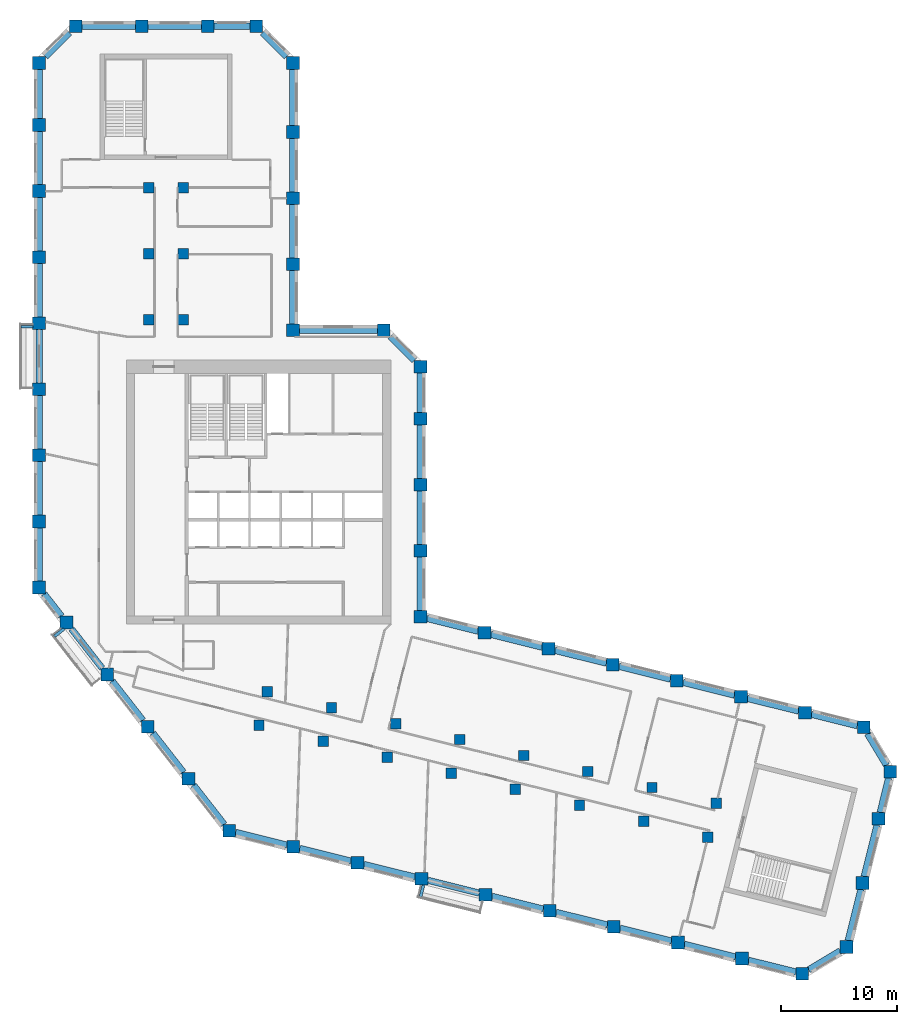
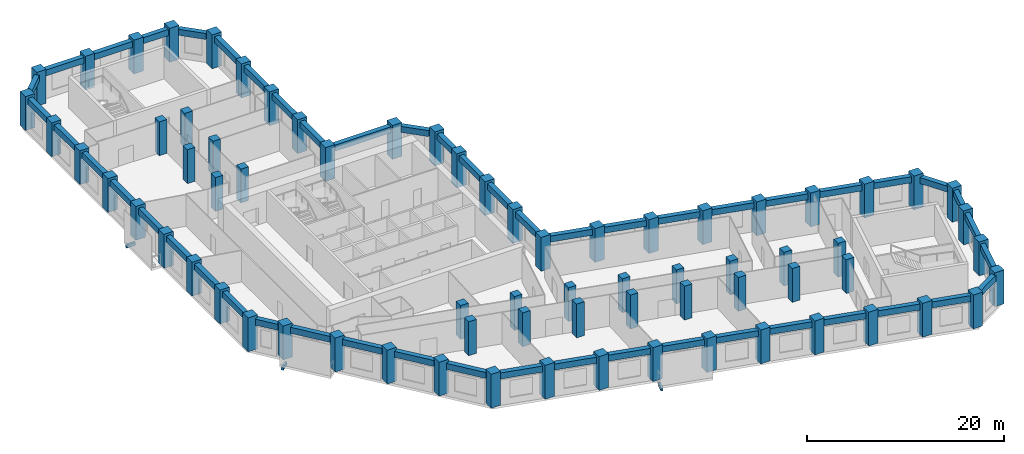
# One storey, part 1 of 10: 71 columns, 52 beams.
"""IFC4 building model written with IfcOpenShell, lengths in metres."""

from ifc_helpers import new_model, si_unit, direction, frame, origin, origin_2d, place, context, subcontext, project, spatial, rectangle, extrude, material, material_profile, profile_set, type_object, element, save


model = new_model("IFC4")

# Units and contexts
model_context = context("Model", 3, precision=1e-05, world=origin(), true_north=direction((0.0, 1.0)))
body_context = subcontext(model_context, "Body", "Model", "MODEL_VIEW")
ifc_project = project(units=[si_unit("LENGTHUNIT", "METRE"), si_unit("AREAUNIT", "SQUARE_METRE"), si_unit("VOLUMEUNIT", "CUBIC_METRE"), si_unit("PLANEANGLEUNIT", "RADIAN"), si_unit("MASSUNIT", "GRAM", prefix="KILO")], contexts=[model_context])

# Site, building, storey
site_placement = place(None, origin())
site = spatial("IfcSite", under=ifc_project, at=site_placement, CompositionType="ELEMENT")
building_placement = place(site_placement, origin())
building = spatial("IfcBuilding", under=site, at=building_placement, Name="Meshkara Civic Tower", CompositionType="ELEMENT")
storey_placement = place(building_placement, frame((0.0, 0.0, 250.800048828125)))
storey = spatial("IfcBuildingStorey", under=building, at=storey_placement, Name="L57", CompositionType="ELEMENT", Elevation=250.800048828125)

# Columns
ifc_material_1 = material(Name="Concrete C60", Category="concrete")
ifc_material_profile_1 = material_profile(ifc_material_1, rectangle(XDim=0.89990234375, YDim=0.89990234375, at=origin_2d()))
ifc_profile_set_1 = profile_set([ifc_material_profile_1], Name="Concrete C60")
column_type_1 = type_object("IfcColumnType", Name="Interior column RC 900x900 C60", PredefinedType="COLUMN", material=ifc_profile_set_1)
for number, where, z_axis, x_axis, name in (
    (1, (9.89990234375, 40.35009765625, 0.0), (0.0, 0.0, 1.0), (1.0, 0.0, 0.0), "Column SA1-04 L57"),
    (2, (9.89990234375, 46.050048828125, 0.0), (0.0, 0.0, 1.0), (1.0, 0.0, 0.0), "Column SA1-05 L57"),
    (3, (9.89990234375, 51.75, 0.0), (0.0, 0.0, 1.0), (1.0, 0.0, 0.0), "Column SA1-06 L57"),
    (4, (12.89990234375, 40.35009765625, 0.0), (0.0, 0.0, 1.0), (1.0, 0.0, 0.0), "Column SA2-04 L57"),
    (5, (12.89990234375, 46.050048828125, 0.0), (0.0, 0.0, 1.0), (1.0, 0.0, 0.0), "Column SA2-05 L57"),
    (6, (12.89990234375, 51.75, 0.0), (0.0, 0.0, 1.0), (1.0, 0.0, 0.0), "Column SA2-06 L57"),
    (7, (19.424072265625, 5.360107421875, 0.0), (0.0, 0.0, 1.0), (1.0, 0.0, 0.0), "Column SB1-00 L57"),
    (8, (24.9541015625, 3.98095703125, 0.0), (0.0, 0.0, 1.0), (1.0, 0.0, 0.0), "Column SB1-01 L57"),
    (9, (30.485107421875, 2.60205078125, 0.0), (0.0, 0.0, 1.0), (1.0, 0.0, 0.0), "Column SB1-02 L57"),
    (10, (36.01611328125, 1.222900390625, 0.0), (0.0, 0.0, 1.0), (1.0, 0.0, 0.0), "Column SB1-03 L57"),
    (11, (41.5458984375, -0.156005859375, 0.0), (0.0, 0.0, 1.0), (1.0, 0.0, 0.0), "Column SB1-04 L57"),
    (12, (47.076904296875, -1.534912109375, 0.0), (0.0, 0.0, 1.0), (1.0, 0.0, 0.0), "Column SB1-05 L57"),
    (13, (52.60791015625, -2.9140625, 0.0), (0.0, 0.0, 1.0), (1.0, 0.0, 0.0), "Column SB1-06 L57"),
    (14, (58.138916015625, -4.2919921875, 0.0), (0.0, 0.0, 1.0), (1.0, 0.0, 0.0), "Column SB1-07 L57"),
    (15, (20.14892578125, 8.27099609375, 0.0), (0.0, 0.0, 1.0), (1.0, 0.0, 0.0), "Column SB2-00 L57"),
    (16, (25.679931640625, 6.89208984375, 0.0), (0.0, 0.0, 1.0), (1.0, 0.0, 0.0), "Column SB2-01 L57"),
    (17, (31.2109375, 5.512939453125, 0.0), (0.0, 0.0, 1.0), (1.0, 0.0, 0.0), "Column SB2-02 L57"),
    (18, (36.741943359375, 4.134033203125, 0.0), (0.0, 0.0, 1.0), (1.0, 0.0, 0.0), "Column SB2-03 L57"),
    (19, (42.27197265625, 2.7548828125, 0.0), (0.0, 0.0, 1.0), (1.0, 0.0, 0.0), "Column SB2-04 L57"),
    (20, (47.802978515625, 1.3759765625, 0.0), (0.0, 0.0, 1.0), (1.0, 0.0, 0.0), "Column SB2-05 L57"),
    (21, (53.333984375, -0.0029296875, 0.0), (0.0, 0.0, 1.0), (1.0, 0.0, 0.0), "Column SB2-06 L57"),
    (22, (58.864013671875, -1.382080078125, 0.0), (0.0, 0.0, 1.0), (1.0, 0.0, 0.0), "Column SB2-07 L57"),
):
    element("IfcColumn", number, at=place(storey_placement, frame(where, z_axis=z_axis, x_axis=x_axis)), inside=storey, type_object=column_type_1, Name=name, PredefinedType="COLUMN", context=body_context, shape_type="SweptSolid", body=[
        extrude(rectangle(XDim=0.89990234375, YDim=0.89990234375, at=origin_2d()), origin(), (0.0, 0.0, 1.0), 4.199951171875),
    ])
ifc_material_2 = material(Name="Concrete C60", Category="concrete")
ifc_material_profile_2 = material_profile(ifc_material_2, rectangle(XDim=1.10009765625, YDim=1.10009765625, at=origin_2d()))
ifc_profile_set_2 = profile_set([ifc_material_profile_2], Name="Concrete C60")
column_type_2 = type_object("IfcColumnType", Name="Perimeter column RC 1100x1100 C60", PredefinedType="COLUMN", material=ifc_profile_set_2)
for number, where, z_axis, x_axis, name in (
    (23, (33.35009765625, 14.718994140625, 0.0), (0.0, 0.0, 1.0), (1.0, 0.0, 0.0), "Column HE00 L57"),
    (24, (33.35009765625, 20.4189453125, 0.0), (0.0, 0.0, 1.0), (1.0, 0.0, 0.0), "Column HE01 L57"),
    (25, (33.35009765625, 26.118896484375, 0.0), (0.0, 0.0, 1.0), (1.0, 0.0, 0.0), "Column HE02 L57"),
    (26, (33.35009765625, 31.819091796875, 0.0), (0.0, 0.0, 1.0), (1.0, 0.0, 0.0), "Column HE03 L57"),
    (27, (33.35009765625, 36.2939453125, 0.0), (0.0, 0.0, 1.0), (1.0, 0.0, 0.0), "Column HEE L57"),
    (28, (30.194091796875, 39.449951171875, 0.0), (0.0, 0.0, 1.0), (1.0, 0.0, 0.0), "Column HCeE L57"),
    (29, (22.35009765625, 39.449951171875, 0.0), (0.0, 0.0, 1.0), (1.0, 0.0, 0.0), "Column HN00 L57"),
    (30, (22.35009765625, 45.14990234375, 0.0), (0.0, 0.0, 1.0), (1.0, 0.0, 0.0), "Column AE01 L57"),
    (31, (22.35009765625, 50.85009765625, 0.0), (0.0, 0.0, 1.0), (1.0, 0.0, 0.0), "Column AE02 L57"),
    (32, (22.35009765625, 56.550048828125, 0.0), (0.0, 0.0, 1.0), (1.0, 0.0, 0.0), "Column AE03 L57"),
    (33, (22.35009765625, 62.513916015625, 0.0), (0.0, 0.0, 1.0), (1.0, 0.0, 0.0), "Column AEEP3 L57"),
    (34, (19.194091796875, 65.669921875, 0.0), (0.0, 0.0, 1.0), (1.0, 0.0, 0.0), "Column ATiEP3 L57"),
    (35, (3.60595703125, 65.669921875, 0.0), (0.0, 0.0, 1.0), (1.0, 0.0, 0.0), "Column AT00-P3 L57"),
    (36, (9.305908203125, 65.669921875, 0.0), (0.0, 0.0, 1.0), (1.0, 0.0, 0.0), "Column AT01-P3 L57"),
    (37, (15.006103515625, 65.669921875, 0.0), (0.0, 0.0, 1.0), (1.0, 0.0, 0.0), "Column AT02-P3 L57"),
    (38, (0.449951171875, 62.513916015625, 0.0), (0.0, 0.0, 1.0), (1.0, 0.0, 0.0), "Column ATo00-P3 L57"),
    (39, (0.449951171875, 17.2548828125, 0.0), (0.0, 0.0, 1.0), (1.0, 0.0, 0.0), "Column AW00 L57"),
    (40, (0.449951171875, 22.955078125, 0.0), (0.0, 0.0, 1.0), (1.0, 0.0, 0.0), "Column AW01 L57"),
    (41, (0.449951171875, 28.655029296875, 0.0), (0.0, 0.0, 1.0), (1.0, 0.0, 0.0), "Column AW02 L57"),
    (42, (0.449951171875, 34.35498046875, 0.0), (0.0, 0.0, 1.0), (1.0, 0.0, 0.0), "Column AW03 L57"),
    (43, (0.449951171875, 40.054931640625, 0.0), (0.0, 0.0, 1.0), (1.0, 0.0, 0.0), "Column AW04 L57"),
    (44, (0.449951171875, 45.7548828125, 0.0), (0.0, 0.0, 1.0), (1.0, 0.0, 0.0), "Column AW05 L57"),
    (45, (0.449951171875, 51.455078125, 0.0), (0.0, 0.0, 1.0), (1.0, 0.0, 0.0), "Column AW06 L57"),
    (46, (0.449951171875, 57.155029296875, 0.0), (0.0, 0.0, 1.0), (1.0, 0.0, 0.0), "Column AW07 L57"),
    (47, (16.85107421875, -3.738037109375, 0.0), (0.0, 0.0, 1.0), (1.0, 0.0, 0.0), "Column BOW00 L57"),
    (48, (13.342041015625, 0.75390625, 0.0), (0.0, 0.0, 1.0), (1.0, 0.0, 0.0), "Column BOW01 L57"),
    (49, (9.8330078125, 5.2451171875, 0.0), (0.0, 0.0, 1.0), (1.0, 0.0, 0.0), "Column BOW02 L57"),
    (50, (6.322998046875, 9.737060546875, 0.0), (0.0, 0.0, 1.0), (1.0, 0.0, 0.0), "Column BOW03 L57"),
    (51, (2.81396484375, 14.22900390625, 0.0), (0.0, 0.0, 1.0), (1.0, 0.0, 0.0), "Column BOW04 L57"),
    (52, (22.382080078125, -5.116943359375, 0.0), (0.0, 0.0, 1.0), (1.0, 0.0, 0.0), "Column BS01 L57"),
    (53, (27.912109375, -6.49609375, 0.0), (0.0, 0.0, 1.0), (1.0, 0.0, 0.0), "Column BS02 L57"),
    (54, (33.443115234375, -7.875, 0.0), (0.0, 0.0, 1.0), (1.0, 0.0, 0.0), "Column BS03 L57"),
    (55, (38.97412109375, -9.2529296875, 0.0), (0.0, 0.0, 1.0), (1.0, 0.0, 0.0), "Column BS04-P1 L57"),
    (56, (44.5048828125, -10.632080078125, 0.0), (0.0, 0.0, 1.0), (1.0, 0.0, 0.0), "Column BS05 L57"),
    (57, (50.034912109375, -12.010986328125, 0.0), (0.0, 0.0, 1.0), (1.0, 0.0, 0.0), "Column BS06 L57"),
    (58, (55.56591796875, -13.389892578125, 0.0), (0.0, 0.0, 1.0), (1.0, 0.0, 0.0), "Column BS07 L57"),
    (59, (61.096923828125, -14.76904296875, 0.0), (0.0, 0.0, 1.0), (1.0, 0.0, 0.0), "Column BS08 L57"),
    (60, (66.2958984375, -16.06494140625, 0.0), (0.0, 0.0, 1.0), (1.0, 0.0, 0.0), "Column BSEP3 L57"),
    (61, (70.1220703125, -13.76611328125, 0.0), (0.0, 0.0, 1.0), (1.0, 0.0, 0.0), "Column BToEP3 L57"),
    (62, (71.5009765625, -8.235107421875, 0.0), (0.0, 0.0, 1.0), (1.0, 0.0, 0.0), "Column BT01-P3 L57"),
    (63, (72.8798828125, -2.705078125, 0.0), (0.0, 0.0, 1.0), (1.0, 0.0, 0.0), "Column BT02-P3 L57"),
    (64, (73.89306640625, 1.35791015625, 0.0), (0.0, 0.0, 1.0), (1.0, 0.0, 0.0), "Column BTEP3 L57"),
    (65, (71.593994140625, 5.18310546875, 0.0), (0.0, 0.0, 1.0), (1.0, 0.0, 0.0), "Column BTi00-P3 L57"),
    (66, (38.881103515625, 13.340087890625, 0.0), (0.0, 0.0, 1.0), (1.0, 0.0, 0.0), "Column BN01 L57"),
    (67, (44.410888671875, 11.9609375, 0.0), (0.0, 0.0, 1.0), (1.0, 0.0, 0.0), "Column BN02 L57"),
    (68, (49.94189453125, 10.58203125, 0.0), (0.0, 0.0, 1.0), (1.0, 0.0, 0.0), "Column BN03 L57"),
    (69, (55.472900390625, 9.202880859375, 0.0), (0.0, 0.0, 1.0), (1.0, 0.0, 0.0), "Column BN04 L57"),
    (70, (61.0029296875, 7.823974609375, 0.0), (0.0, 0.0, 1.0), (1.0, 0.0, 0.0), "Column BN05 L57"),
    (71, (66.533935546875, 6.445068359375, 0.0), (0.0, 0.0, 1.0), (1.0, 0.0, 0.0), "Column BN06 L57"),
):
    element("IfcColumn", number, at=place(storey_placement, frame(where, z_axis=z_axis, x_axis=x_axis)), inside=storey, type_object=column_type_2, Name=name, PredefinedType="COLUMN", context=body_context, shape_type="SweptSolid", body=[
        extrude(rectangle(XDim=1.10009765625, YDim=1.10009765625, at=origin_2d()), origin(), (0.0, 0.0, 1.0), 4.199951171875),
    ])

# Beams
ifc_material_3 = material(Name="Concrete C50", Category="concrete")
ifc_material_profile_3 = material_profile(ifc_material_3, rectangle(XDim=0.25, YDim=0.39990234375, at=origin_2d()))
ifc_profile_set_3 = profile_set([ifc_material_profile_3], Name="Concrete C50")
beam_type_1 = type_object("IfcBeamType", Name="Balcony bracket beam RC 250x400 C50", PredefinedType="BEAM", material=ifc_profile_set_3)
beam_1_placement = place(storey_placement, frame((-0.094970703125, 39.7548828125, -0.5), z_axis=(-1.0, 0.0, 0.0), x_axis=(0.0, -1.0, 0.0)))
element("IfcBeam", 72, at=beam_1_placement, inside=storey, type_object=beam_type_1, Name="Balcony bracket beam", PredefinedType="BEAM", context=body_context, shape_type="SweptSolid", body=[
    extrude(rectangle(XDim=0.25, YDim=0.39990234375, at=origin_2d()), origin(), (0.0, 0.0, 1.0), 1.005126953125),
])
beam_2_placement = place(storey_placement, frame((2.60107421875, 13.681884765625, -0.5), z_axis=(-0.787992515281, -0.615684818606, 0.0), x_axis=(0.615684818606, -0.787992515281, 0.0)))
element("IfcBeam", 73, at=beam_2_placement, inside=storey, type_object=beam_type_1, Name="Balcony bracket beam", PredefinedType="BEAM", context=body_context, shape_type="SweptSolid", body=[
    extrude(rectangle(XDim=0.25, YDim=0.39990234375, at=origin_2d()), origin(), (0.0, 0.0, 1.0), 1.045654296875),
])
beam_3_placement = place(storey_placement, frame((33.615966796875, -8.419921875, -0.5), z_axis=(-0.241940897637, -0.970290988338, 0.0), x_axis=(0.970290988338, -0.241940897637, 0.0)))
element("IfcBeam", 74, at=beam_3_placement, inside=storey, type_object=beam_type_1, Name="Balcony bracket beam", PredefinedType="BEAM", context=body_context, shape_type="SweptSolid", body=[
    extrude(rectangle(XDim=0.25, YDim=0.39990234375, at=origin_2d()), origin(), (0.0, 0.0, 1.0), 1.0625),
])
ifc_material_4 = material(Name="Concrete C60", Category="concrete")
ifc_material_profile_4 = material_profile(ifc_material_4, rectangle(XDim=0.550048828125, YDim=0.75, at=origin_2d()))
ifc_profile_set_4 = profile_set([ifc_material_profile_4], Name="Concrete C60")
beam_type_2 = type_object("IfcBeamType", Name="Spandrel beam RC 550x750 C60", PredefinedType="BEAM", material=ifc_profile_set_4)
beam_4_placement = place(storey_placement, frame((65.989013671875, 6.580810546875, 3.52490234375), z_axis=(-0.970299186733, 0.241908016044, 0.0), x_axis=(-0.241908016044, -0.970299186733, 0.0)))
element("IfcBeam", 75, at=beam_4_placement, inside=storey, type_object=beam_type_2, Name="Spandrel beam BN05-BN06", PredefinedType="BEAM", context=body_context, shape_type="SweptSolid", body=[
    extrude(rectangle(XDim=0.550048828125, YDim=0.75, at=origin_2d()), origin(), (0.0, 0.0, 1.0), 4.576904296875),
])
beam_5_placement = place(storey_placement, frame((60.4580078125, 7.9599609375, 3.52490234375), z_axis=(-0.970286696562, 0.241958108925, 0.0), x_axis=(-0.241958108925, -0.970286696562, 0.0)))
element("IfcBeam", 76, at=beam_5_placement, inside=storey, type_object=beam_type_2, Name="Spandrel beam BN04-BN05", PredefinedType="BEAM", context=body_context, shape_type="SweptSolid", body=[
    extrude(rectangle(XDim=0.550048828125, YDim=0.75, at=origin_2d()), origin(), (0.0, 0.0, 1.0), 4.575927734375),
])
for number, where, z_axis, x_axis, name in (
    (77, (54.927978515625, 9.3388671875, 3.52490234375), (-0.970299186733, 0.241908016044, 0.0), (-0.241908016044, -0.970299186733, 0.0), "Spandrel beam BN03-BN04"),
    (78, (49.39697265625, 10.718017578125, 3.52490234375), (-0.970299186733, 0.241908016044, 0.0), (-0.241908016044, -0.970299186733, 0.0), "Spandrel beam BN02-BN03"),
):
    element("IfcBeam", number, at=place(storey_placement, frame(where, z_axis=z_axis, x_axis=x_axis)), inside=storey, type_object=beam_type_2, Name=name, PredefinedType="BEAM", context=body_context, shape_type="SweptSolid", body=[
        extrude(rectangle(XDim=0.550048828125, YDim=0.75, at=origin_2d()), origin(), (0.0, 0.0, 1.0), 4.576904296875),
    ])
beam_6_placement = place(storey_placement, frame((43.865966796875, 12.096923828125, 3.52490234375), z_axis=(-0.970286696562, 0.241958108925, 0.0), x_axis=(-0.241958108925, -0.970286696562, 0.0)))
element("IfcBeam", 79, at=beam_6_placement, inside=storey, type_object=beam_type_2, Name="Spandrel beam BN01-BN02", PredefinedType="BEAM", context=body_context, shape_type="SweptSolid", body=[
    extrude(rectangle(XDim=0.550048828125, YDim=0.75, at=origin_2d()), origin(), (0.0, 0.0, 1.0), 4.575927734375),
])
beam_7_placement = place(storey_placement, frame((38.3359375, 13.475830078125, 3.52490234375), z_axis=(-0.970299186733, 0.241908016044, 0.0), x_axis=(-0.241908016044, -0.970299186733, 0.0)))
element("IfcBeam", 80, at=beam_7_placement, inside=storey, type_object=beam_type_2, Name="Spandrel beam BN01-HE00", PredefinedType="BEAM", context=body_context, shape_type="SweptSolid", body=[
    extrude(rectangle(XDim=0.550048828125, YDim=0.75, at=origin_2d()), origin(), (0.0, 0.0, 1.0), 4.576904296875),
])
beam_8_placement = place(storey_placement, frame((33.35009765625, 15.263916015625, 3.52490234375), z_axis=(0.0, 1.0, 0.0), x_axis=(-1.0, 0.0, 0.0)))
element("IfcBeam", 81, at=beam_8_placement, inside=storey, type_object=beam_type_2, Name="Spandrel beam HE00-HE01", PredefinedType="BEAM", context=body_context, shape_type="SweptSolid", body=[
    extrude(rectangle(XDim=0.550048828125, YDim=0.75, at=origin_2d()), origin(), (0.0, 0.0, 1.0), 4.610107421875),
])
for number, where, z_axis, x_axis, name in (
    (82, (33.35009765625, 20.964111328125, 3.52490234375), (0.0, 1.0, 0.0), (-1.0, 0.0, 0.0), "Spandrel beam HE01-HE02"),
    (83, (33.35009765625, 26.6640625, 3.52490234375), (0.0, 1.0, 0.0), (-1.0, 0.0, 0.0), "Spandrel beam HE02-HE03"),
):
    element("IfcBeam", number, at=place(storey_placement, frame(where, z_axis=z_axis, x_axis=x_axis)), inside=storey, type_object=beam_type_2, Name=name, PredefinedType="BEAM", context=body_context, shape_type="SweptSolid", body=[
        extrude(rectangle(XDim=0.550048828125, YDim=0.75, at=origin_2d()), origin(), (0.0, 0.0, 1.0), 4.60986328125),
    ])
beam_9_placement = place(storey_placement, frame((33.35009765625, 32.364013671875, 3.52490234375), z_axis=(0.0, 1.0, 0.0), x_axis=(-1.0, 0.0, 0.0)))
element("IfcBeam", 84, at=beam_9_placement, inside=storey, type_object=beam_type_2, Name="Spandrel beam HE03-HEE", PredefinedType="BEAM", context=body_context, shape_type="SweptSolid", body=[
    extrude(rectangle(XDim=0.550048828125, YDim=0.75, at=origin_2d()), origin(), (0.0, 0.0, 1.0), 3.385009765625),
])
beam_10_placement = place(storey_placement, frame((32.803466796875, 36.840576171875, 3.52490234375), z_axis=(-0.707106781187, 0.707106781187, 0.0), x_axis=(-0.707106781187, -0.707106781187, 0.0)))
element("IfcBeam", 85, at=beam_10_placement, inside=storey, type_object=beam_type_2, Name="Spandrel beam HCeE-HEE", PredefinedType="BEAM", context=body_context, shape_type="SweptSolid", body=[
    extrude(rectangle(XDim=0.550048828125, YDim=0.75, at=origin_2d()), origin(), (0.0, 0.0, 1.0), 2.91748046875),
])
beam_11_placement = place(storey_placement, frame((29.64892578125, 39.449951171875, 3.52490234375), z_axis=(-1.0, 0.0, 0.0), x_axis=(0.0, -1.0, 0.0)))
element("IfcBeam", 86, at=beam_11_placement, inside=storey, type_object=beam_type_2, Name="Spandrel beam HCeE-HN00", PredefinedType="BEAM", context=body_context, shape_type="SweptSolid", body=[
    extrude(rectangle(XDim=0.550048828125, YDim=0.75, at=origin_2d()), origin(), (0.0, 0.0, 1.0), 6.75390625),
])
for number, where, z_axis, x_axis, name in (
    (87, (22.35009765625, 39.9951171875, 3.52490234375), (0.0, 1.0, 0.0), (-1.0, 0.0, 0.0), "Spandrel beam AE01-HN00"),
    (88, (22.35009765625, 45.695068359375, 3.52490234375), (0.0, 1.0, 0.0), (-1.0, 0.0, 0.0), "Spandrel beam AE01-AE02"),
    (89, (22.35009765625, 51.39501953125, 3.52490234375), (0.0, 1.0, 0.0), (-1.0, 0.0, 0.0), "Spandrel beam AE02-AE03"),
):
    element("IfcBeam", number, at=place(storey_placement, frame(where, z_axis=z_axis, x_axis=x_axis)), inside=storey, type_object=beam_type_2, Name=name, PredefinedType="BEAM", context=body_context, shape_type="SweptSolid", body=[
        extrude(rectangle(XDim=0.550048828125, YDim=0.75, at=origin_2d()), origin(), (0.0, 0.0, 1.0), 4.60986328125),
    ])
beam_12_placement = place(storey_placement, frame((22.35009765625, 57.094970703125, 3.52490234375), z_axis=(0.0, 1.0, 0.0), x_axis=(-1.0, 0.0, 0.0)))
element("IfcBeam", 90, at=beam_12_placement, inside=storey, type_object=beam_type_2, Name="Spandrel beam AE03-AEEP3", PredefinedType="BEAM", context=body_context, shape_type="SweptSolid", body=[
    extrude(rectangle(XDim=0.550048828125, YDim=0.75, at=origin_2d()), origin(), (0.0, 0.0, 1.0), 4.8740234375),
])
beam_13_placement = place(storey_placement, frame((21.803466796875, 63.060546875, 3.52490234375), z_axis=(-0.707106781187, 0.707106781187, 0.0), x_axis=(-0.707106781187, -0.707106781187, 0.0)))
element("IfcBeam", 91, at=beam_13_placement, inside=storey, type_object=beam_type_2, Name="Spandrel beam AEEP3-ATiEP3", PredefinedType="BEAM", context=body_context, shape_type="SweptSolid", body=[
    extrude(rectangle(XDim=0.550048828125, YDim=0.75, at=origin_2d()), origin(), (0.0, 0.0, 1.0), 2.91748046875),
])
beam_14_placement = place(storey_placement, frame((18.64892578125, 65.669921875, 3.52490234375), z_axis=(-1.0, 0.0, 0.0), x_axis=(0.0, -1.0, 0.0)))
element("IfcBeam", 92, at=beam_14_placement, inside=storey, type_object=beam_type_2, Name="Spandrel beam AT02-P3-ATiEP3", PredefinedType="BEAM", context=body_context, shape_type="SweptSolid", body=[
    extrude(rectangle(XDim=0.550048828125, YDim=0.75, at=origin_2d()), origin(), (0.0, 0.0, 1.0), 3.097900390625),
])
beam_15_placement = place(storey_placement, frame((14.4609375, 65.669921875, 3.52490234375), z_axis=(-1.0, 0.0, 0.0), x_axis=(0.0, -1.0, 0.0)))
element("IfcBeam", 93, at=beam_15_placement, inside=storey, type_object=beam_type_2, Name="Spandrel beam AT01-P3-AT02-P3", PredefinedType="BEAM", context=body_context, shape_type="SweptSolid", body=[
    extrude(rectangle(XDim=0.550048828125, YDim=0.75, at=origin_2d()), origin(), (0.0, 0.0, 1.0), 4.60986328125),
])
beam_16_placement = place(storey_placement, frame((8.760986328125, 65.669921875, 3.52490234375), z_axis=(-1.0, 0.0, 0.0), x_axis=(0.0, -1.0, 0.0)))
element("IfcBeam", 94, at=beam_16_placement, inside=storey, type_object=beam_type_2, Name="Spandrel beam AT00-P3-AT01-P3", PredefinedType="BEAM", context=body_context, shape_type="SweptSolid", body=[
    extrude(rectangle(XDim=0.550048828125, YDim=0.75, at=origin_2d()), origin(), (0.0, 0.0, 1.0), 4.610107421875),
])
beam_17_placement = place(storey_placement, frame((3.0595703125, 65.12353515625, 3.52490234375), z_axis=(-0.707106781187, -0.707106781187, 0.0), x_axis=(0.707106781187, -0.707106781187, 0.0)))
element("IfcBeam", 95, at=beam_17_placement, inside=storey, type_object=beam_type_2, Name="Spandrel beam AT00-P3-ATo00-P3", PredefinedType="BEAM", context=body_context, shape_type="SweptSolid", body=[
    extrude(rectangle(XDim=0.550048828125, YDim=0.75, at=origin_2d()), origin(), (0.0, 0.0, 1.0), 2.91748046875),
])
beam_18_placement = place(storey_placement, frame((0.449951171875, 61.968994140625, 3.52490234375), z_axis=(0.0, -1.0, 0.0), x_axis=(1.0, 0.0, 0.0)))
element("IfcBeam", 96, at=beam_18_placement, inside=storey, type_object=beam_type_2, Name="Spandrel beam ATo00-P3-AW07", PredefinedType="BEAM", context=body_context, shape_type="SweptSolid", body=[
    extrude(rectangle(XDim=0.550048828125, YDim=0.75, at=origin_2d()), origin(), (0.0, 0.0, 1.0), 4.26904296875),
])
beam_19_placement = place(storey_placement, frame((0.449951171875, 56.610107421875, 3.52490234375), z_axis=(0.0, -1.0, 0.0), x_axis=(1.0, 0.0, 0.0)))
element("IfcBeam", 97, at=beam_19_placement, inside=storey, type_object=beam_type_2, Name="Spandrel beam AW06-AW07", PredefinedType="BEAM", context=body_context, shape_type="SweptSolid", body=[
    extrude(rectangle(XDim=0.550048828125, YDim=0.75, at=origin_2d()), origin(), (0.0, 0.0, 1.0), 4.610107421875),
])
for number, where, z_axis, x_axis, name in (
    (98, (0.449951171875, 50.909912109375, 3.52490234375), (0.0, -1.0, 0.0), (1.0, 0.0, 0.0), "Spandrel beam AW05-AW06"),
    (99, (0.449951171875, 45.2099609375, 3.52490234375), (0.0, -1.0, 0.0), (1.0, 0.0, 0.0), "Spandrel beam AW04-AW05"),
):
    element("IfcBeam", number, at=place(storey_placement, frame(where, z_axis=z_axis, x_axis=x_axis)), inside=storey, type_object=beam_type_2, Name=name, PredefinedType="BEAM", context=body_context, shape_type="SweptSolid", body=[
        extrude(rectangle(XDim=0.550048828125, YDim=0.75, at=origin_2d()), origin(), (0.0, 0.0, 1.0), 4.60986328125),
    ])
for number, where, z_axis, x_axis, name in (
    (100, (0.449951171875, 39.510009765625, 3.52490234375), (0.0, -1.0, 0.0), (1.0, 0.0, 0.0), "Spandrel beam AW03-AW04"),
    (101, (0.449951171875, 33.81005859375, 3.52490234375), (0.0, -1.0, 0.0), (1.0, 0.0, 0.0), "Spandrel beam AW02-AW03"),
    (102, (0.449951171875, 28.110107421875, 3.52490234375), (0.0, -1.0, 0.0), (1.0, 0.0, 0.0), "Spandrel beam AW01-AW02"),
):
    element("IfcBeam", number, at=place(storey_placement, frame(where, z_axis=z_axis, x_axis=x_axis)), inside=storey, type_object=beam_type_2, Name=name, PredefinedType="BEAM", context=body_context, shape_type="SweptSolid", body=[
        extrude(rectangle(XDim=0.550048828125, YDim=0.75, at=origin_2d()), origin(), (0.0, 0.0, 1.0), 4.610107421875),
    ])
beam_20_placement = place(storey_placement, frame((0.449951171875, 22.409912109375, 3.52490234375), z_axis=(0.0, -1.0, 0.0), x_axis=(1.0, 0.0, 0.0)))
element("IfcBeam", 103, at=beam_20_placement, inside=storey, type_object=beam_type_2, Name="Spandrel beam AW00-AW01", PredefinedType="BEAM", context=body_context, shape_type="SweptSolid", body=[
    extrude(rectangle(XDim=0.550048828125, YDim=0.75, at=origin_2d()), origin(), (0.0, 0.0, 1.0), 4.60986328125),
])
beam_21_placement = place(storey_placement, frame((0.876708984375, 16.708984375, 3.52490234375), z_axis=(0.615626666257, -0.788037948194, 0.0), x_axis=(0.788037948194, 0.615626666257, 0.0)))
element("IfcBeam", 104, at=beam_21_placement, inside=storey, type_object=beam_type_2, Name="Spandrel beam AW00-BOW04", PredefinedType="BEAM", context=body_context, shape_type="SweptSolid", body=[
    extrude(rectangle(XDim=0.550048828125, YDim=0.75, at=origin_2d()), origin(), (0.0, 0.0, 1.0), 2.4541015625),
])
beam_22_placement = place(storey_placement, frame((3.240478515625, 13.682861328125, 3.52490234375), z_axis=(0.615647336498, -0.788021799865, 0.0), x_axis=(0.788021799865, 0.615647336498, 0.0)))
element("IfcBeam", 105, at=beam_22_placement, inside=storey, type_object=beam_type_2, Name="Spandrel beam BOW03-BOW04", PredefinedType="BEAM", context=body_context, shape_type="SweptSolid", body=[
    extrude(rectangle(XDim=0.550048828125, YDim=0.75, at=origin_2d()), origin(), (0.0, 0.0, 1.0), 4.314208984375),
])
beam_23_placement = place(storey_placement, frame((6.749755859375, 9.19091796875, 3.52490234375), z_axis=(0.615690159083, -0.787988342559, 0.0), x_axis=(0.787988342559, 0.615690159083, 0.0)))
element("IfcBeam", 106, at=beam_23_placement, inside=storey, type_object=beam_type_2, Name="Spandrel beam BOW02-BOW03", PredefinedType="BEAM", context=body_context, shape_type="SweptSolid", body=[
    extrude(rectangle(XDim=0.550048828125, YDim=0.75, at=origin_2d()), origin(), (0.0, 0.0, 1.0), 4.314697265625),
])
beam_24_placement = place(storey_placement, frame((10.259765625, 4.698974609375, 3.52490234375), z_axis=(0.615659419462, -0.788012359819, 0.0), x_axis=(0.788012359819, 0.615659419462, 0.0)))
element("IfcBeam", 107, at=beam_24_placement, inside=storey, type_object=beam_type_2, Name="Spandrel beam BOW01-BOW02", PredefinedType="BEAM", context=body_context, shape_type="SweptSolid", body=[
    extrude(rectangle(XDim=0.550048828125, YDim=0.75, at=origin_2d()), origin(), (0.0, 0.0, 1.0), 4.313232421875),
])
beam_25_placement = place(storey_placement, frame((13.7685546875, 0.2080078125, 3.52490234375), z_axis=(0.615584739249, -0.788070700384, 0.0), x_axis=(0.788070700384, 0.615584739249, 0.0)))
element("IfcBeam", 108, at=beam_25_placement, inside=storey, type_object=beam_type_2, Name="Spandrel beam BOW00-BOW01", PredefinedType="BEAM", context=body_context, shape_type="SweptSolid", body=[
    extrude(rectangle(XDim=0.550048828125, YDim=0.75, at=origin_2d()), origin(), (0.0, 0.0, 1.0), 4.314208984375),
])
beam_26_placement = place(storey_placement, frame((17.39599609375, -3.873779296875, 3.52490234375), z_axis=(0.970286664886, -0.24195823595, 0.0), x_axis=(0.24195823595, 0.970286664886, 0.0)))
element("IfcBeam", 109, at=beam_26_placement, inside=storey, type_object=beam_type_2, Name="Spandrel beam BOW00-BS01", PredefinedType="BEAM", context=body_context, shape_type="SweptSolid", body=[
    extrude(rectangle(XDim=0.550048828125, YDim=0.75, at=origin_2d()), origin(), (0.0, 0.0, 1.0), 4.576904296875),
])
beam_27_placement = place(storey_placement, frame((22.927001953125, -5.2529296875, 3.52490234375), z_axis=(0.970286696562, -0.241958108925, 0.0), x_axis=(0.241958108925, 0.970286696562, 0.0)))
element("IfcBeam", 110, at=beam_27_placement, inside=storey, type_object=beam_type_2, Name="Spandrel beam BS01-BS02", PredefinedType="BEAM", context=body_context, shape_type="SweptSolid", body=[
    extrude(rectangle(XDim=0.550048828125, YDim=0.75, at=origin_2d()), origin(), (0.0, 0.0, 1.0), 4.575927734375),
])
beam_28_placement = place(storey_placement, frame((28.45703125, -6.6318359375, 3.52490234375), z_axis=(0.970299186733, -0.241908016044, 0.0), x_axis=(0.241908016044, 0.970299186733, 0.0)))
element("IfcBeam", 111, at=beam_28_placement, inside=storey, type_object=beam_type_2, Name="Spandrel beam BS02-BS03", PredefinedType="BEAM", context=body_context, shape_type="SweptSolid", body=[
    extrude(rectangle(XDim=0.550048828125, YDim=0.75, at=origin_2d()), origin(), (0.0, 0.0, 1.0), 4.576904296875),
])
beam_29_placement = place(storey_placement, frame((33.988037109375, -8.0107421875, 3.52490234375), z_axis=(0.970336738613, -0.241757344662, 0.0), x_axis=(0.241757344662, 0.970336738613, 0.0)))
element("IfcBeam", 112, at=beam_29_placement, inside=storey, type_object=beam_type_2, Name="Spandrel beam BS03-BS04-P1", PredefinedType="BEAM", context=body_context, shape_type="SweptSolid", body=[
    extrude(rectangle(XDim=0.550048828125, YDim=0.75, at=origin_2d()), origin(), (0.0, 0.0, 1.0), 4.57666015625),
])
beam_30_placement = place(storey_placement, frame((39.51904296875, -9.388916015625, 3.52490234375), z_axis=(0.970299186733, -0.241908016044, 0.0), x_axis=(0.241908016044, 0.970299186733, 0.0)))
element("IfcBeam", 113, at=beam_30_placement, inside=storey, type_object=beam_type_2, Name="Spandrel beam BS04-P1-BS05", PredefinedType="BEAM", context=body_context, shape_type="SweptSolid", body=[
    extrude(rectangle(XDim=0.550048828125, YDim=0.75, at=origin_2d()), origin(), (0.0, 0.0, 1.0), 4.576904296875),
])
beam_31_placement = place(storey_placement, frame((45.050048828125, -10.767822265625, 3.52490234375), z_axis=(0.970286696562, -0.241958108925, 0.0), x_axis=(0.241958108925, 0.970286696562, 0.0)))
element("IfcBeam", 114, at=beam_31_placement, inside=storey, type_object=beam_type_2, Name="Spandrel beam BS05-BS06", PredefinedType="BEAM", context=body_context, shape_type="SweptSolid", body=[
    extrude(rectangle(XDim=0.550048828125, YDim=0.75, at=origin_2d()), origin(), (0.0, 0.0, 1.0), 4.575927734375),
])
for number, where, z_axis, x_axis, name in (
    (115, (50.580078125, -12.14697265625, 3.52490234375), (0.970299186733, -0.241908016044, 0.0), (0.241908016044, 0.970299186733, 0.0), "Spandrel beam BS06-BS07"),
    (116, (56.111083984375, -13.52587890625, 3.52490234375), (0.970299186733, -0.241908016044, 0.0), (0.241908016044, 0.970299186733, 0.0), "Spandrel beam BS07-BS08"),
):
    element("IfcBeam", number, at=place(storey_placement, frame(where, z_axis=z_axis, x_axis=x_axis)), inside=storey, type_object=beam_type_2, Name=name, PredefinedType="BEAM", context=body_context, shape_type="SweptSolid", body=[
        extrude(rectangle(XDim=0.550048828125, YDim=0.75, at=origin_2d()), origin(), (0.0, 0.0, 1.0), 4.576904296875),
    ])
beam_32_placement = place(storey_placement, frame((61.64208984375, -14.90478515625, 3.52490234375), z_axis=(0.970298301424, -0.24191156701, 0.0), x_axis=(0.24191156701, 0.970298301424, 0.0)))
element("IfcBeam", 117, at=beam_32_placement, inside=storey, type_object=beam_type_2, Name="Spandrel beam BS08-BSEP3", PredefinedType="BEAM", context=body_context, shape_type="SweptSolid", body=[
    extrude(rectangle(XDim=0.550048828125, YDim=0.75, at=origin_2d()), origin(), (0.0, 0.0, 1.0), 4.234619140625),
])
beam_33_placement = place(storey_placement, frame((66.841796875, -15.737060546875, 3.52490234375), z_axis=(0.857175401914, 0.51502459199, 0.0), x_axis=(-0.51502459199, 0.857175401914, 0.0)))
element("IfcBeam", 118, at=beam_33_placement, inside=storey, type_object=beam_type_2, Name="Spandrel beam BSEP3-BToEP3", PredefinedType="BEAM", context=body_context, shape_type="SweptSolid", body=[
    extrude(rectangle(XDim=0.550048828125, YDim=0.75, at=origin_2d()), origin(), (0.0, 0.0, 1.0), 3.190185546875),
])
beam_34_placement = place(storey_placement, frame((70.2578125, -13.220947265625, 3.52490234375), z_axis=(0.241908016044, 0.970299186733, 0.0), x_axis=(-0.970299186733, 0.241908016044, 0.0)))
element("IfcBeam", 119, at=beam_34_placement, inside=storey, type_object=beam_type_2, Name="Spandrel beam BT01-P3-BToEP3", PredefinedType="BEAM", context=body_context, shape_type="SweptSolid", body=[
    extrude(rectangle(XDim=0.550048828125, YDim=0.75, at=origin_2d()), origin(), (0.0, 0.0, 1.0), 4.576904296875),
])
beam_35_placement = place(storey_placement, frame((71.636962890625, -7.68994140625, 3.52490234375), z_axis=(0.241958108925, 0.970286696562, 0.0), x_axis=(-0.970286696562, 0.241958108925, 0.0)))
element("IfcBeam", 120, at=beam_35_placement, inside=storey, type_object=beam_type_2, Name="Spandrel beam BT01-P3-BT02-P3", PredefinedType="BEAM", context=body_context, shape_type="SweptSolid", body=[
    extrude(rectangle(XDim=0.550048828125, YDim=0.75, at=origin_2d()), origin(), (0.0, 0.0, 1.0), 4.575927734375),
])
beam_36_placement = place(storey_placement, frame((73.015869140625, -2.159912109375, 3.52490234375), z_axis=(0.24191686251, 0.970296981152, 0.0), x_axis=(-0.970296981152, 0.24191686251, 0.0)))
element("IfcBeam", 121, at=beam_36_placement, inside=storey, type_object=beam_type_2, Name="Spandrel beam BT02-P3-BTEP3", PredefinedType="BEAM", context=body_context, shape_type="SweptSolid", body=[
    extrude(rectangle(XDim=0.550048828125, YDim=0.75, at=origin_2d()), origin(), (0.0, 0.0, 1.0), 3.06396484375),
])
beam_37_placement = place(storey_placement, frame((73.56494140625, 1.90380859375, 3.52490234375), z_axis=(-0.515137320802, 0.857107659934, 0.0), x_axis=(-0.857107659934, -0.515137320802, 0.0)))
element("IfcBeam", 122, at=beam_37_placement, inside=storey, type_object=beam_type_2, Name="Spandrel beam BTEP3-BTi00-P3", PredefinedType="BEAM", context=body_context, shape_type="SweptSolid", body=[
    extrude(rectangle(XDim=0.550048828125, YDim=0.75, at=origin_2d()), origin(), (0.0, 0.0, 1.0), 3.189208984375),
])
beam_38_placement = place(storey_placement, frame((71.048828125, 5.319091796875, 3.52490234375), z_axis=(-0.970282744603, 0.241973956296, 0.0), x_axis=(-0.241973956296, -0.970282744603, 0.0)))
element("IfcBeam", 123, at=beam_38_placement, inside=storey, type_object=beam_type_2, Name="Spandrel beam BN06-BTi00-P3", PredefinedType="BEAM", context=body_context, shape_type="SweptSolid", body=[
    extrude(rectangle(XDim=0.550048828125, YDim=0.75, at=origin_2d()), origin(), (0.0, 0.0, 1.0), 4.09130859375),
])

save(model, "model.ifc")
